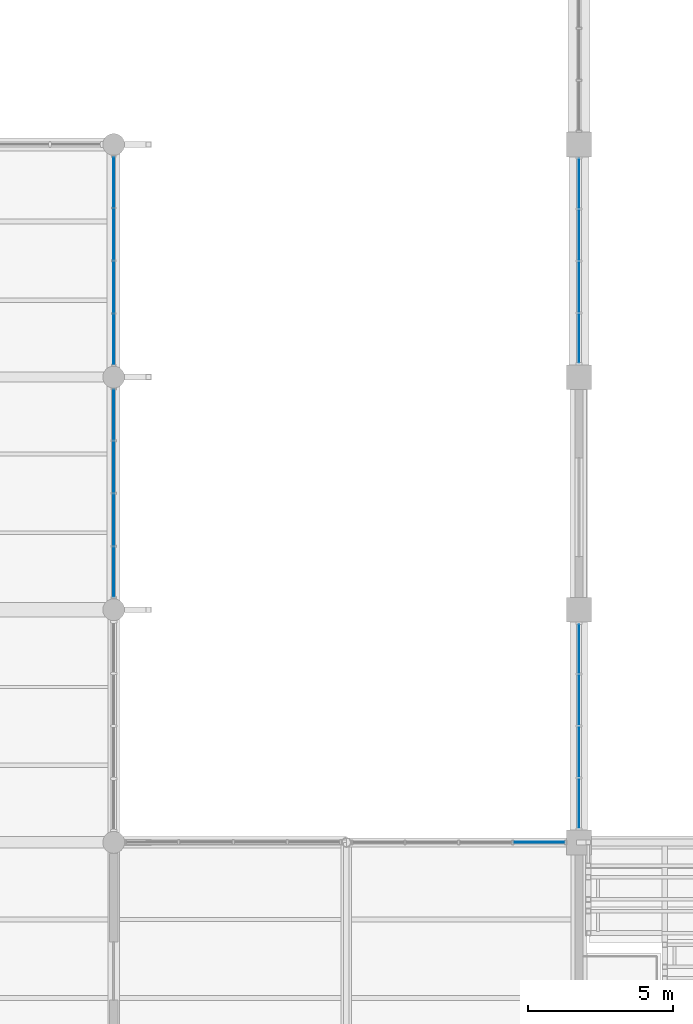
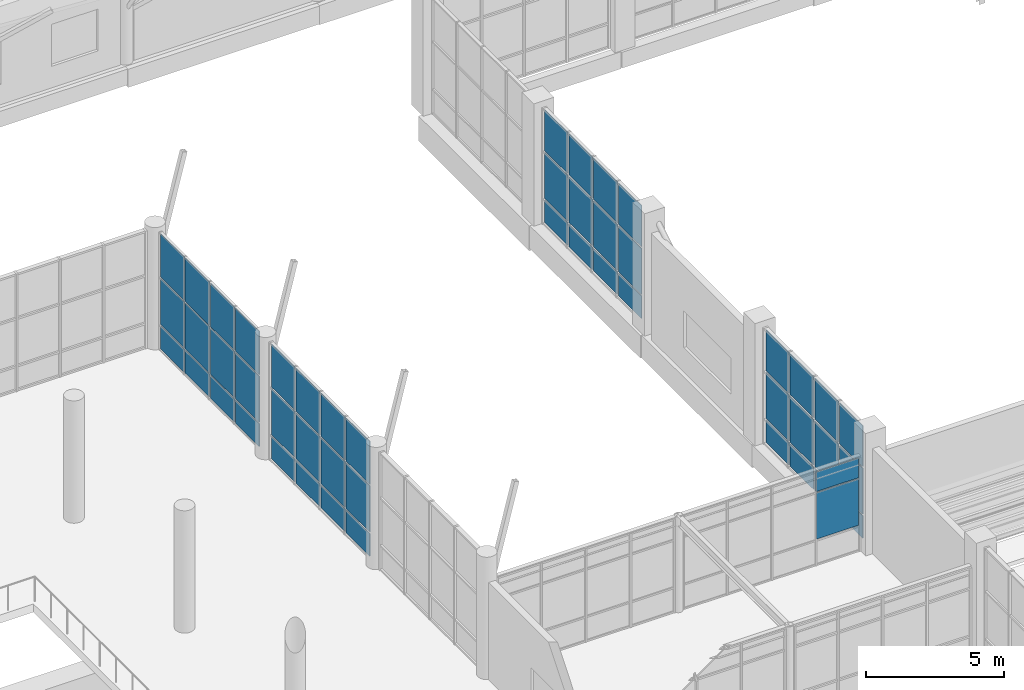
# One storey, part 77 of 122: 50 plates, 5 elements without a shape of their own.
"""IFC4 building model written with IfcOpenShell, lengths in metres."""

from ifc_helpers import new_model, si_unit, direction, frame, origin, origin_2d, place, context, subcontext, project, spatial, rectangle, extrude, material, layer, layer_set, type_object, element, aggregate, save


model = new_model("IFC4")

# Units and contexts
model_context = context("Model", 3, precision=1e-05, world=origin(), true_north=direction((0.0, 1.0)))
body_context = subcontext(model_context, "Body", "Model", "MODEL_VIEW")
ifc_project = project(units=[si_unit("LENGTHUNIT", "METRE"), si_unit("AREAUNIT", "SQUARE_METRE"), si_unit("VOLUMEUNIT", "CUBIC_METRE"), si_unit("PLANEANGLEUNIT", "RADIAN"), si_unit("MASSUNIT", "GRAM", prefix="KILO")], contexts=[model_context])

# Site, building, storey
site_placement = place(None, origin())
site = spatial("IfcSite", under=ifc_project, at=site_placement, CompositionType="ELEMENT")
building_placement = place(site_placement, origin())
building = spatial("IfcBuilding", under=site, at=building_placement, Name="Tenunan Teduh Sports Hall", CompositionType="ELEMENT")
storey_placement = place(building_placement, frame((0.0, 0.0, 5.39990234375)))
storey = spatial("IfcBuildingStorey", under=building, at=storey_placement, Name="L01", CompositionType="ELEMENT", Elevation=5.39990234375)

# Curtain wall, plates
ifc_material_1 = material(Name="Anodised aluminium", Category="aluminium")
curtain_wall_type_1 = type_object("IfcCurtainWallType", Name="CW-UNIT-1", PredefinedType="NOTDEFINED", material=ifc_material_1)
curtain_wall_1_placement = place(storey_placement, origin())
curtain_wall_1 = element("IfcCurtainWall", 1, at=curtain_wall_1_placement, inside=storey, type_object=curtain_wall_type_1, Name="CW-CWM-200-L01-124", PredefinedType="NOTDEFINED")
ifc_material_2 = material(Name="Low-E laminated double glazing", Category="glass")
ifc_layer_1 = layer(ifc_material_2, 0.028076171875)
ifc_layer_set_1 = layer_set([ifc_layer_1], Name="Low-E laminated double glazing")
plate_type_1 = type_object("IfcPlateType", Name="CWP-GLZ-28", PredefinedType="CURTAIN_PANEL", material=ifc_layer_set_1)
plate_1_placement = place(storey_placement, frame((122.0, 63.336181640625, 1.13525390625), z_axis=(0.0, 0.0, 1.0), x_axis=(0.0, 1.0, 0.0)))
plate_1 = element("IfcPlate", 2, at=plate_1_placement, type_object=plate_type_1, Name="CW-01 panel 1.2", PredefinedType="CURTAIN_PANEL", context=body_context, shape_type="SweptSolid", body=[
    extrude(rectangle(XDim=1.6826171875, YDim=0.028076171875, at=origin_2d()), origin(), (0.0, 0.0, 1.0), 2.030029296875),
])
plate_2_placement = place(storey_placement, frame((122.0, 63.336181640625, 3.235107421875), z_axis=(0.0, 0.0, 1.0), x_axis=(0.0, 1.0, 0.0)))
plate_2 = element("IfcPlate", 3, at=plate_2_placement, type_object=plate_type_1, Name="CW-01 panel 1.3", PredefinedType="CURTAIN_PANEL", context=body_context, shape_type="SweptSolid", body=[
    extrude(rectangle(XDim=1.6826171875, YDim=0.028076171875, at=origin_2d()), origin(), (0.0, 0.0, 1.0), 1.81494140625),
])
plate_3_placement = place(storey_placement, frame((122.0, 65.106201171875, 1.13525390625), z_axis=(0.0, 0.0, 1.0), x_axis=(0.0, 1.0, 0.0)))
plate_3 = element("IfcPlate", 4, at=plate_3_placement, type_object=plate_type_1, Name="CW-01 panel 2.2", PredefinedType="CURTAIN_PANEL", context=body_context, shape_type="SweptSolid", body=[
    extrude(rectangle(XDim=1.717529296875, YDim=0.028076171875, at=origin_2d()), origin(), (0.0, 0.0, 1.0), 2.030029296875),
])
plate_4_placement = place(storey_placement, frame((122.0, 65.106201171875, 3.235107421875), z_axis=(0.0, 0.0, 1.0), x_axis=(0.0, 1.0, 0.0)))
plate_4 = element("IfcPlate", 5, at=plate_4_placement, type_object=plate_type_1, Name="CW-01 panel 2.3", PredefinedType="CURTAIN_PANEL", context=body_context, shape_type="SweptSolid", body=[
    extrude(rectangle(XDim=1.717529296875, YDim=0.028076171875, at=origin_2d()), origin(), (0.0, 0.0, 1.0), 1.81494140625),
])
plate_5_placement = place(storey_placement, frame((122.0, 66.893798828125, 1.13525390625), z_axis=(0.0, 0.0, 1.0), x_axis=(0.0, 1.0, 0.0)))
plate_5 = element("IfcPlate", 6, at=plate_5_placement, type_object=plate_type_1, Name="CW-01 panel 3.2", PredefinedType="CURTAIN_PANEL", context=body_context, shape_type="SweptSolid", body=[
    extrude(rectangle(XDim=1.717529296875, YDim=0.028076171875, at=origin_2d()), origin(), (0.0, 0.0, 1.0), 2.030029296875),
])
plate_6_placement = place(storey_placement, frame((122.0, 66.893798828125, 3.235107421875), z_axis=(0.0, 0.0, 1.0), x_axis=(0.0, 1.0, 0.0)))
plate_6 = element("IfcPlate", 7, at=plate_6_placement, type_object=plate_type_1, Name="CW-01 panel 3.3", PredefinedType="CURTAIN_PANEL", context=body_context, shape_type="SweptSolid", body=[
    extrude(rectangle(XDim=1.717529296875, YDim=0.028076171875, at=origin_2d()), origin(), (0.0, 0.0, 1.0), 1.81494140625),
])
plate_7_placement = place(storey_placement, frame((122.0, 68.663818359375, 1.13525390625), z_axis=(0.0, 0.0, 1.0), x_axis=(0.0, 1.0, 0.0)))
plate_7 = element("IfcPlate", 8, at=plate_7_placement, type_object=plate_type_1, Name="CW-01 panel 4.2", PredefinedType="CURTAIN_PANEL", context=body_context, shape_type="SweptSolid", body=[
    extrude(rectangle(XDim=1.6826171875, YDim=0.028076171875, at=origin_2d()), origin(), (0.0, 0.0, 1.0), 2.030029296875),
])
plate_8_placement = place(storey_placement, frame((122.0, 68.663818359375, 3.235107421875), z_axis=(0.0, 0.0, 1.0), x_axis=(0.0, 1.0, 0.0)))
plate_8 = element("IfcPlate", 9, at=plate_8_placement, type_object=plate_type_1, Name="CW-01 panel 4.3", PredefinedType="CURTAIN_PANEL", context=body_context, shape_type="SweptSolid", body=[
    extrude(rectangle(XDim=1.6826171875, YDim=0.028076171875, at=origin_2d()), origin(), (0.0, 0.0, 1.0), 1.81494140625),
])

curtain_wall_2_placement = place(storey_placement, origin())
curtain_wall_2 = element("IfcCurtainWall", 10, at=curtain_wall_2_placement, inside=storey, type_object=curtain_wall_type_1, Name="CW-CWM-175-L01-174", PredefinedType="NOTDEFINED")
plate_9_placement = place(storey_placement, frame((106.0, 55.297607421875, 1.1328125), z_axis=(0.0, 0.0, 1.0), x_axis=(0.0, 1.0, 0.0)))
plate_9 = element("IfcPlate", 11, at=plate_9_placement, type_object=plate_type_1, Name="CW-01 panel 1.2", PredefinedType="CURTAIN_PANEL", context=body_context, shape_type="SweptSolid", body=[
    extrude(rectangle(XDim=1.715087890625, YDim=0.028076171875, at=origin_2d()), origin(), (0.0, 0.0, 1.0), 2.034912109375),
])
plate_10_placement = place(storey_placement, frame((106.0, 55.297607421875, 3.232421875), z_axis=(0.0, 0.0, 1.0), x_axis=(0.0, 1.0, 0.0)))
plate_10 = element("IfcPlate", 12, at=plate_10_placement, type_object=plate_type_1, Name="CW-01 panel 1.3", PredefinedType="CURTAIN_PANEL", context=body_context, shape_type="SweptSolid", body=[
    extrude(rectangle(XDim=1.715087890625, YDim=0.028076171875, at=origin_2d()), origin(), (0.0, 0.0, 1.0), 1.902587890625),
])
plate_11_placement = place(storey_placement, frame((106.0, 57.09375, 1.1328125), z_axis=(0.0, 0.0, 1.0), x_axis=(0.0, 1.0, 0.0)))
plate_11 = element("IfcPlate", 13, at=plate_11_placement, type_object=plate_type_1, Name="CW-01 panel 2.2", PredefinedType="CURTAIN_PANEL", context=body_context, shape_type="SweptSolid", body=[
    extrude(rectangle(XDim=1.74755859375, YDim=0.028076171875, at=origin_2d()), origin(), (0.0, 0.0, 1.0), 2.034912109375),
])
plate_12_placement = place(storey_placement, frame((106.0, 57.09375, 3.232421875), z_axis=(0.0, 0.0, 1.0), x_axis=(0.0, 1.0, 0.0)))
plate_12 = element("IfcPlate", 14, at=plate_12_placement, type_object=plate_type_1, Name="CW-01 panel 2.3", PredefinedType="CURTAIN_PANEL", context=body_context, shape_type="SweptSolid", body=[
    extrude(rectangle(XDim=1.74755859375, YDim=0.028076171875, at=origin_2d()), origin(), (0.0, 0.0, 1.0), 1.902587890625),
])
plate_13_placement = place(storey_placement, frame((106.0, 58.90625, 1.1328125), z_axis=(0.0, 0.0, 1.0), x_axis=(0.0, 1.0, 0.0)))
plate_13 = element("IfcPlate", 15, at=plate_13_placement, type_object=plate_type_1, Name="CW-01 panel 3.2", PredefinedType="CURTAIN_PANEL", context=body_context, shape_type="SweptSolid", body=[
    extrude(rectangle(XDim=1.74755859375, YDim=0.028076171875, at=origin_2d()), origin(), (0.0, 0.0, 1.0), 2.034912109375),
])
plate_14_placement = place(storey_placement, frame((106.0, 58.90625, 3.232421875), z_axis=(0.0, 0.0, 1.0), x_axis=(0.0, 1.0, 0.0)))
plate_14 = element("IfcPlate", 16, at=plate_14_placement, type_object=plate_type_1, Name="CW-01 panel 3.3", PredefinedType="CURTAIN_PANEL", context=body_context, shape_type="SweptSolid", body=[
    extrude(rectangle(XDim=1.74755859375, YDim=0.028076171875, at=origin_2d()), origin(), (0.0, 0.0, 1.0), 1.902587890625),
])
plate_15_placement = place(storey_placement, frame((106.0, 60.702392578125, 1.1328125), z_axis=(0.0, 0.0, 1.0), x_axis=(0.0, 1.0, 0.0)))
plate_15 = element("IfcPlate", 17, at=plate_15_placement, type_object=plate_type_1, Name="CW-01 panel 4.2", PredefinedType="CURTAIN_PANEL", context=body_context, shape_type="SweptSolid", body=[
    extrude(rectangle(XDim=1.715087890625, YDim=0.028076171875, at=origin_2d()), origin(), (0.0, 0.0, 1.0), 2.034912109375),
])
plate_16_placement = place(storey_placement, frame((106.0, 60.702392578125, 3.232421875), z_axis=(0.0, 0.0, 1.0), x_axis=(0.0, 1.0, 0.0)))
plate_16 = element("IfcPlate", 18, at=plate_16_placement, type_object=plate_type_1, Name="CW-01 panel 4.3", PredefinedType="CURTAIN_PANEL", context=body_context, shape_type="SweptSolid", body=[
    extrude(rectangle(XDim=1.715087890625, YDim=0.028076171875, at=origin_2d()), origin(), (0.0, 0.0, 1.0), 1.902587890625),
])

curtain_wall_3_placement = place(storey_placement, origin())
curtain_wall_3 = element("IfcCurtainWall", 19, at=curtain_wall_3_placement, inside=storey, type_object=curtain_wall_type_1, Name="CW-CWM-220-L01-121", PredefinedType="NOTDEFINED")
ifc_material_3 = material(Name="Solar-control laminated glazing", Category="glass")
ifc_layer_2 = layer(ifc_material_3, 0.031982421875)
ifc_layer_set_2 = layer_set([ifc_layer_2], Name="Solar-control laminated glazing")
plate_type_2 = type_object("IfcPlateType", Name="CWP-GLZ-32", PredefinedType="CURTAIN_PANEL", material=ifc_layer_set_2)
plate_17_placement = place(storey_placement, frame((122.0, 47.33740234375, 1.1376953125), z_axis=(0.0, 0.0, 1.0), x_axis=(0.0, 1.0, 0.0)))
plate_17 = element("IfcPlate", 20, at=plate_17_placement, type_object=plate_type_2, Name="CW-01 panel 1.2", PredefinedType="CURTAIN_PANEL", context=body_context, shape_type="SweptSolid", body=[
    extrude(rectangle(XDim=1.675048828125, YDim=0.031982421875, at=origin_2d()), origin(), (0.0, 0.0, 1.0), 2.02490234375),
])
plate_18_placement = place(storey_placement, frame((122.0, 47.33740234375, 3.237548828125), z_axis=(0.0, 0.0, 1.0), x_axis=(0.0, 1.0, 0.0)))
plate_18 = element("IfcPlate", 21, at=plate_18_placement, type_object=plate_type_2, Name="CW-01 panel 1.3", PredefinedType="CURTAIN_PANEL", context=body_context, shape_type="SweptSolid", body=[
    extrude(rectangle(XDim=1.675048828125, YDim=0.031982421875, at=origin_2d()), origin(), (0.0, 0.0, 1.0), 1.8076171875),
])
plate_19_placement = place(storey_placement, frame((122.0, 49.106201171875, 1.1376953125), z_axis=(0.0, 0.0, 1.0), x_axis=(0.0, 1.0, 0.0)))
plate_19 = element("IfcPlate", 22, at=plate_19_placement, type_object=plate_type_2, Name="CW-01 panel 2.2", PredefinedType="CURTAIN_PANEL", context=body_context, shape_type="SweptSolid", body=[
    extrude(rectangle(XDim=1.71240234375, YDim=0.031982421875, at=origin_2d()), origin(), (0.0, 0.0, 1.0), 2.02490234375),
])
plate_20_placement = place(storey_placement, frame((122.0, 49.106201171875, 3.237548828125), z_axis=(0.0, 0.0, 1.0), x_axis=(0.0, 1.0, 0.0)))
plate_20 = element("IfcPlate", 23, at=plate_20_placement, type_object=plate_type_2, Name="CW-01 panel 2.3", PredefinedType="CURTAIN_PANEL", context=body_context, shape_type="SweptSolid", body=[
    extrude(rectangle(XDim=1.71240234375, YDim=0.031982421875, at=origin_2d()), origin(), (0.0, 0.0, 1.0), 1.8076171875),
])
plate_21_placement = place(storey_placement, frame((122.0, 50.893798828125, 1.1376953125), z_axis=(0.0, 0.0, 1.0), x_axis=(0.0, 1.0, 0.0)))
plate_21 = element("IfcPlate", 24, at=plate_21_placement, type_object=plate_type_2, Name="CW-01 panel 3.2", PredefinedType="CURTAIN_PANEL", context=body_context, shape_type="SweptSolid", body=[
    extrude(rectangle(XDim=1.71240234375, YDim=0.031982421875, at=origin_2d()), origin(), (0.0, 0.0, 1.0), 2.02490234375),
])
plate_22_placement = place(storey_placement, frame((122.0, 50.893798828125, 3.237548828125), z_axis=(0.0, 0.0, 1.0), x_axis=(0.0, 1.0, 0.0)))
plate_22 = element("IfcPlate", 25, at=plate_22_placement, type_object=plate_type_2, Name="CW-01 panel 3.3", PredefinedType="CURTAIN_PANEL", context=body_context, shape_type="SweptSolid", body=[
    extrude(rectangle(XDim=1.71240234375, YDim=0.031982421875, at=origin_2d()), origin(), (0.0, 0.0, 1.0), 1.8076171875),
])
plate_23_placement = place(storey_placement, frame((122.0, 52.66259765625, 1.1376953125), z_axis=(0.0, 0.0, 1.0), x_axis=(0.0, 1.0, 0.0)))
plate_23 = element("IfcPlate", 26, at=plate_23_placement, type_object=plate_type_2, Name="CW-01 panel 4.2", PredefinedType="CURTAIN_PANEL", context=body_context, shape_type="SweptSolid", body=[
    extrude(rectangle(XDim=1.675048828125, YDim=0.031982421875, at=origin_2d()), origin(), (0.0, 0.0, 1.0), 2.02490234375),
])
plate_24_placement = place(storey_placement, frame((122.0, 52.66259765625, 3.237548828125), z_axis=(0.0, 0.0, 1.0), x_axis=(0.0, 1.0, 0.0)))
plate_24 = element("IfcPlate", 27, at=plate_24_placement, type_object=plate_type_2, Name="CW-01 panel 4.3", PredefinedType="CURTAIN_PANEL", context=body_context, shape_type="SweptSolid", body=[
    extrude(rectangle(XDim=1.675048828125, YDim=0.031982421875, at=origin_2d()), origin(), (0.0, 0.0, 1.0), 1.8076171875),
])

curtain_wall_4_placement = place(storey_placement, origin())
curtain_wall_4 = element("IfcCurtainWall", 28, at=curtain_wall_4_placement, inside=storey, type_object=curtain_wall_type_1, Name="CW-CWM-150-L01-175", PredefinedType="NOTDEFINED")
plate_25_placement = place(storey_placement, frame((106.0, 63.296142578125, 1.130126953125), z_axis=(0.0, 0.0, 1.0), x_axis=(0.0, 1.0, 0.0)))
plate_25 = element("IfcPlate", 29, at=plate_25_placement, type_object=plate_type_2, Name="CW-01 panel 1.2", PredefinedType="CURTAIN_PANEL", context=body_context, shape_type="SweptSolid", body=[
    extrude(rectangle(XDim=1.722412109375, YDim=0.031982421875, at=origin_2d()), origin(), (0.0, 0.0, 1.0), 2.0400390625),
])
plate_26_placement = place(storey_placement, frame((106.0, 63.296142578125, 3.22998046875), z_axis=(0.0, 0.0, 1.0), x_axis=(0.0, 1.0, 0.0)))
plate_26 = element("IfcPlate", 30, at=plate_26_placement, type_object=plate_type_2, Name="CW-01 panel 1.3", PredefinedType="CURTAIN_PANEL", context=body_context, shape_type="SweptSolid", body=[
    extrude(rectangle(XDim=1.722412109375, YDim=0.031982421875, at=origin_2d()), origin(), (0.0, 0.0, 1.0), 1.909912109375),
])
plate_27_placement = place(storey_placement, frame((106.0, 65.09375, 1.130126953125), z_axis=(0.0, 0.0, 1.0), x_axis=(0.0, 1.0, 0.0)))
plate_27 = element("IfcPlate", 31, at=plate_27_placement, type_object=plate_type_2, Name="CW-01 panel 2.2", PredefinedType="CURTAIN_PANEL", context=body_context, shape_type="SweptSolid", body=[
    extrude(rectangle(XDim=1.75244140625, YDim=0.031982421875, at=origin_2d()), origin(), (0.0, 0.0, 1.0), 2.0400390625),
])
plate_28_placement = place(storey_placement, frame((106.0, 65.09375, 3.22998046875), z_axis=(0.0, 0.0, 1.0), x_axis=(0.0, 1.0, 0.0)))
plate_28 = element("IfcPlate", 32, at=plate_28_placement, type_object=plate_type_2, Name="CW-01 panel 2.3", PredefinedType="CURTAIN_PANEL", context=body_context, shape_type="SweptSolid", body=[
    extrude(rectangle(XDim=1.75244140625, YDim=0.031982421875, at=origin_2d()), origin(), (0.0, 0.0, 1.0), 1.909912109375),
])
plate_29_placement = place(storey_placement, frame((106.0, 66.90625, 1.130126953125), z_axis=(0.0, 0.0, 1.0), x_axis=(0.0, 1.0, 0.0)))
plate_29 = element("IfcPlate", 33, at=plate_29_placement, type_object=plate_type_2, Name="CW-01 panel 3.2", PredefinedType="CURTAIN_PANEL", context=body_context, shape_type="SweptSolid", body=[
    extrude(rectangle(XDim=1.75244140625, YDim=0.031982421875, at=origin_2d()), origin(), (0.0, 0.0, 1.0), 2.0400390625),
])
plate_30_placement = place(storey_placement, frame((106.0, 66.90625, 3.22998046875), z_axis=(0.0, 0.0, 1.0), x_axis=(0.0, 1.0, 0.0)))
plate_30 = element("IfcPlate", 34, at=plate_30_placement, type_object=plate_type_2, Name="CW-01 panel 3.3", PredefinedType="CURTAIN_PANEL", context=body_context, shape_type="SweptSolid", body=[
    extrude(rectangle(XDim=1.75244140625, YDim=0.031982421875, at=origin_2d()), origin(), (0.0, 0.0, 1.0), 1.909912109375),
])
plate_31_placement = place(storey_placement, frame((106.0, 68.703857421875, 1.130126953125), z_axis=(0.0, 0.0, 1.0), x_axis=(0.0, 1.0, 0.0)))
plate_31 = element("IfcPlate", 35, at=plate_31_placement, type_object=plate_type_2, Name="CW-01 panel 4.2", PredefinedType="CURTAIN_PANEL", context=body_context, shape_type="SweptSolid", body=[
    extrude(rectangle(XDim=1.722412109375, YDim=0.031982421875, at=origin_2d()), origin(), (0.0, 0.0, 1.0), 2.0400390625),
])
plate_32_placement = place(storey_placement, frame((106.0, 68.703857421875, 3.22998046875), z_axis=(0.0, 0.0, 1.0), x_axis=(0.0, 1.0, 0.0)))
plate_32 = element("IfcPlate", 36, at=plate_32_placement, type_object=plate_type_2, Name="CW-01 panel 4.3", PredefinedType="CURTAIN_PANEL", context=body_context, shape_type="SweptSolid", body=[
    extrude(rectangle(XDim=1.722412109375, YDim=0.031982421875, at=origin_2d()), origin(), (0.0, 0.0, 1.0), 1.909912109375),
])

ifc_material_4 = material(Name="Anodised aluminium", Category="aluminium")
curtain_wall_type_2 = type_object("IfcCurtainWallType", Name="CW-UNIT-2", PredefinedType="NOTDEFINED", material=ifc_material_4)
curtain_wall_5_placement = place(storey_placement, origin())
curtain_wall_5 = element("IfcCurtainWall", 37, at=curtain_wall_5_placement, inside=storey, type_object=curtain_wall_type_2, Name="CW-CWM-150-L01-183", PredefinedType="NOTDEFINED")
plate_33_placement = place(storey_placement, frame((120.63330078125, 46.0, 1.130126953125), z_axis=(0.0, 0.0, 1.0), x_axis=(1.0, 0.0, 0.0)))
plate_33 = element("IfcPlate", 38, at=plate_33_placement, type_object=plate_type_2, Name="CW-02 panel 4.2", PredefinedType="CURTAIN_PANEL", context=body_context, shape_type="SweptSolid", body=[
    extrude(rectangle(XDim=1.76318359375, YDim=0.031982421875, at=origin_2d()), origin(), (0.0, 0.0, 1.0), 2.0400390625),
])
plate_34_placement = place(storey_placement, frame((120.63330078125, 46.0, 3.22998046875), z_axis=(0.0, 0.0, 1.0), x_axis=(1.0, 0.0, 0.0)))
plate_34 = element("IfcPlate", 39, at=plate_34_placement, type_object=plate_type_2, Name="CW-02 panel 4.3", PredefinedType="CURTAIN_PANEL", context=body_context, shape_type="SweptSolid", body=[
    extrude(rectangle(XDim=1.76318359375, YDim=0.031982421875, at=origin_2d()), origin(), (0.0, 0.0, 1.0), 0.860107421875),
])
aggregate(curtain_wall_5, [plate_33, plate_34])

# Plate
ifc_material_5 = material(Name="Insulated aluminium spandrel panel", Category="aluminium")
ifc_layer_3 = layer(ifc_material_5, 0.044921875)
ifc_layer_set_3 = layer_set([ifc_layer_3], Name="Insulated aluminium spandrel panel")
plate_type_3 = type_object("IfcPlateType", Name="CWP-SPN-45", PredefinedType="CURTAIN_PANEL", material=ifc_layer_set_3)
plate_35_placement = place(storey_placement, frame((122.0, 47.33740234375, 0.0751953125), z_axis=(0.0, 0.0, 1.0), x_axis=(0.0, 1.0, 0.0)))
plate_35 = element("IfcPlate", 40, at=plate_35_placement, type_object=plate_type_3, Name="CW-01 panel 1.1", PredefinedType="CURTAIN_PANEL", context=body_context, shape_type="SweptSolid", body=[
    extrude(rectangle(XDim=1.675048828125, YDim=0.031982421875, at=origin_2d()), origin(), (0.0, 0.0, 1.0), 0.987548828125),
])

plate_36_placement = place(storey_placement, frame((122.0, 49.106201171875, 0.0751953125), z_axis=(0.0, 0.0, 1.0), x_axis=(0.0, 1.0, 0.0)))
plate_36 = element("IfcPlate", 41, at=plate_36_placement, type_object=plate_type_3, Name="CW-01 panel 2.1", PredefinedType="CURTAIN_PANEL", context=body_context, shape_type="SweptSolid", body=[
    extrude(rectangle(XDim=1.71240234375, YDim=0.031982421875, at=origin_2d()), origin(), (0.0, 0.0, 1.0), 0.987548828125),
])

plate_37_placement = place(storey_placement, frame((122.0, 50.893798828125, 0.0751953125), z_axis=(0.0, 0.0, 1.0), x_axis=(0.0, 1.0, 0.0)))
plate_37 = element("IfcPlate", 42, at=plate_37_placement, type_object=plate_type_3, Name="CW-01 panel 3.1", PredefinedType="CURTAIN_PANEL", context=body_context, shape_type="SweptSolid", body=[
    extrude(rectangle(XDim=1.71240234375, YDim=0.031982421875, at=origin_2d()), origin(), (0.0, 0.0, 1.0), 0.987548828125),
])

plate_38_placement = place(storey_placement, frame((122.0, 52.66259765625, 0.0751953125), z_axis=(0.0, 0.0, 1.0), x_axis=(0.0, 1.0, 0.0)))
plate_38 = element("IfcPlate", 43, at=plate_38_placement, type_object=plate_type_3, Name="CW-01 panel 4.1", PredefinedType="CURTAIN_PANEL", context=body_context, shape_type="SweptSolid", body=[
    extrude(rectangle(XDim=1.675048828125, YDim=0.031982421875, at=origin_2d()), origin(), (0.0, 0.0, 1.0), 0.987548828125),
])

aggregate(curtain_wall_3, [plate_35, plate_17, plate_18, plate_36, plate_19, plate_20, plate_37, plate_21, plate_22, plate_38, plate_23, plate_24])

plate_39_placement = place(storey_placement, frame((122.0, 63.336181640625, 0.070068359375), z_axis=(0.0, 0.0, 1.0), x_axis=(0.0, 1.0, 0.0)))
plate_39 = element("IfcPlate", 44, at=plate_39_placement, type_object=plate_type_3, Name="CW-01 panel 1.1", PredefinedType="CURTAIN_PANEL", context=body_context, shape_type="SweptSolid", body=[
    extrude(rectangle(XDim=1.6826171875, YDim=0.028076171875, at=origin_2d()), origin(), (0.0, 0.0, 1.0), 0.9951171875),
])

plate_40_placement = place(storey_placement, frame((122.0, 65.106201171875, 0.070068359375), z_axis=(0.0, 0.0, 1.0), x_axis=(0.0, 1.0, 0.0)))
plate_40 = element("IfcPlate", 45, at=plate_40_placement, type_object=plate_type_3, Name="CW-01 panel 2.1", PredefinedType="CURTAIN_PANEL", context=body_context, shape_type="SweptSolid", body=[
    extrude(rectangle(XDim=1.717529296875, YDim=0.028076171875, at=origin_2d()), origin(), (0.0, 0.0, 1.0), 0.9951171875),
])

plate_41_placement = place(storey_placement, frame((122.0, 66.893798828125, 0.070068359375), z_axis=(0.0, 0.0, 1.0), x_axis=(0.0, 1.0, 0.0)))
plate_41 = element("IfcPlate", 46, at=plate_41_placement, type_object=plate_type_3, Name="CW-01 panel 3.1", PredefinedType="CURTAIN_PANEL", context=body_context, shape_type="SweptSolid", body=[
    extrude(rectangle(XDim=1.717529296875, YDim=0.028076171875, at=origin_2d()), origin(), (0.0, 0.0, 1.0), 0.9951171875),
])

plate_42_placement = place(storey_placement, frame((122.0, 68.663818359375, 0.070068359375), z_axis=(0.0, 0.0, 1.0), x_axis=(0.0, 1.0, 0.0)))
plate_42 = element("IfcPlate", 47, at=plate_42_placement, type_object=plate_type_3, Name="CW-01 panel 4.1", PredefinedType="CURTAIN_PANEL", context=body_context, shape_type="SweptSolid", body=[
    extrude(rectangle(XDim=1.6826171875, YDim=0.028076171875, at=origin_2d()), origin(), (0.0, 0.0, 1.0), 0.9951171875),
])

aggregate(curtain_wall_1, [plate_39, plate_1, plate_2, plate_40, plate_3, plate_4, plate_41, plate_5, plate_6, plate_42, plate_7, plate_8])

plate_43_placement = place(storey_placement, frame((106.0, 55.297607421875, 0.065185546875), z_axis=(0.0, 0.0, 1.0), x_axis=(0.0, 1.0, 0.0)))
plate_43 = element("IfcPlate", 48, at=plate_43_placement, type_object=plate_type_3, Name="CW-01 panel 1.1", PredefinedType="CURTAIN_PANEL", context=body_context, shape_type="SweptSolid", body=[
    extrude(rectangle(XDim=1.715087890625, YDim=0.028076171875, at=origin_2d()), origin(), (0.0, 0.0, 1.0), 1.00244140625),
])

plate_44_placement = place(storey_placement, frame((106.0, 57.09375, 0.065185546875), z_axis=(0.0, 0.0, 1.0), x_axis=(0.0, 1.0, 0.0)))
plate_44 = element("IfcPlate", 49, at=plate_44_placement, type_object=plate_type_3, Name="CW-01 panel 2.1", PredefinedType="CURTAIN_PANEL", context=body_context, shape_type="SweptSolid", body=[
    extrude(rectangle(XDim=1.74755859375, YDim=0.028076171875, at=origin_2d()), origin(), (0.0, 0.0, 1.0), 1.00244140625),
])

plate_45_placement = place(storey_placement, frame((106.0, 58.90625, 0.065185546875), z_axis=(0.0, 0.0, 1.0), x_axis=(0.0, 1.0, 0.0)))
plate_45 = element("IfcPlate", 50, at=plate_45_placement, type_object=plate_type_3, Name="CW-01 panel 3.1", PredefinedType="CURTAIN_PANEL", context=body_context, shape_type="SweptSolid", body=[
    extrude(rectangle(XDim=1.74755859375, YDim=0.028076171875, at=origin_2d()), origin(), (0.0, 0.0, 1.0), 1.00244140625),
])

plate_46_placement = place(storey_placement, frame((106.0, 60.702392578125, 0.065185546875), z_axis=(0.0, 0.0, 1.0), x_axis=(0.0, 1.0, 0.0)))
plate_46 = element("IfcPlate", 51, at=plate_46_placement, type_object=plate_type_3, Name="CW-01 panel 4.1", PredefinedType="CURTAIN_PANEL", context=body_context, shape_type="SweptSolid", body=[
    extrude(rectangle(XDim=1.715087890625, YDim=0.028076171875, at=origin_2d()), origin(), (0.0, 0.0, 1.0), 1.00244140625),
])

aggregate(curtain_wall_2, [plate_43, plate_9, plate_10, plate_44, plate_11, plate_12, plate_45, plate_13, plate_14, plate_46, plate_15, plate_16])

plate_47_placement = place(storey_placement, frame((106.0, 63.296142578125, 0.06005859375), z_axis=(0.0, 0.0, 1.0), x_axis=(0.0, 1.0, 0.0)))
plate_47 = element("IfcPlate", 52, at=plate_47_placement, type_object=plate_type_3, Name="CW-01 panel 1.1", PredefinedType="CURTAIN_PANEL", context=body_context, shape_type="SweptSolid", body=[
    extrude(rectangle(XDim=1.722412109375, YDim=0.031982421875, at=origin_2d()), origin(), (0.0, 0.0, 1.0), 1.010009765625),
])

plate_48_placement = place(storey_placement, frame((106.0, 65.09375, 0.06005859375), z_axis=(0.0, 0.0, 1.0), x_axis=(0.0, 1.0, 0.0)))
plate_48 = element("IfcPlate", 53, at=plate_48_placement, type_object=plate_type_3, Name="CW-01 panel 2.1", PredefinedType="CURTAIN_PANEL", context=body_context, shape_type="SweptSolid", body=[
    extrude(rectangle(XDim=1.75244140625, YDim=0.031982421875, at=origin_2d()), origin(), (0.0, 0.0, 1.0), 1.010009765625),
])

plate_49_placement = place(storey_placement, frame((106.0, 66.90625, 0.06005859375), z_axis=(0.0, 0.0, 1.0), x_axis=(0.0, 1.0, 0.0)))
plate_49 = element("IfcPlate", 54, at=plate_49_placement, type_object=plate_type_3, Name="CW-01 panel 3.1", PredefinedType="CURTAIN_PANEL", context=body_context, shape_type="SweptSolid", body=[
    extrude(rectangle(XDim=1.75244140625, YDim=0.031982421875, at=origin_2d()), origin(), (0.0, 0.0, 1.0), 1.010009765625),
])

plate_50_placement = place(storey_placement, frame((106.0, 68.703857421875, 0.06005859375), z_axis=(0.0, 0.0, 1.0), x_axis=(0.0, 1.0, 0.0)))
plate_50 = element("IfcPlate", 55, at=plate_50_placement, type_object=plate_type_3, Name="CW-01 panel 4.1", PredefinedType="CURTAIN_PANEL", context=body_context, shape_type="SweptSolid", body=[
    extrude(rectangle(XDim=1.722412109375, YDim=0.031982421875, at=origin_2d()), origin(), (0.0, 0.0, 1.0), 1.010009765625),
])

aggregate(curtain_wall_4, [plate_47, plate_25, plate_26, plate_48, plate_27, plate_28, plate_49, plate_29, plate_30, plate_50, plate_31, plate_32])

save(model, "model.ifc")
